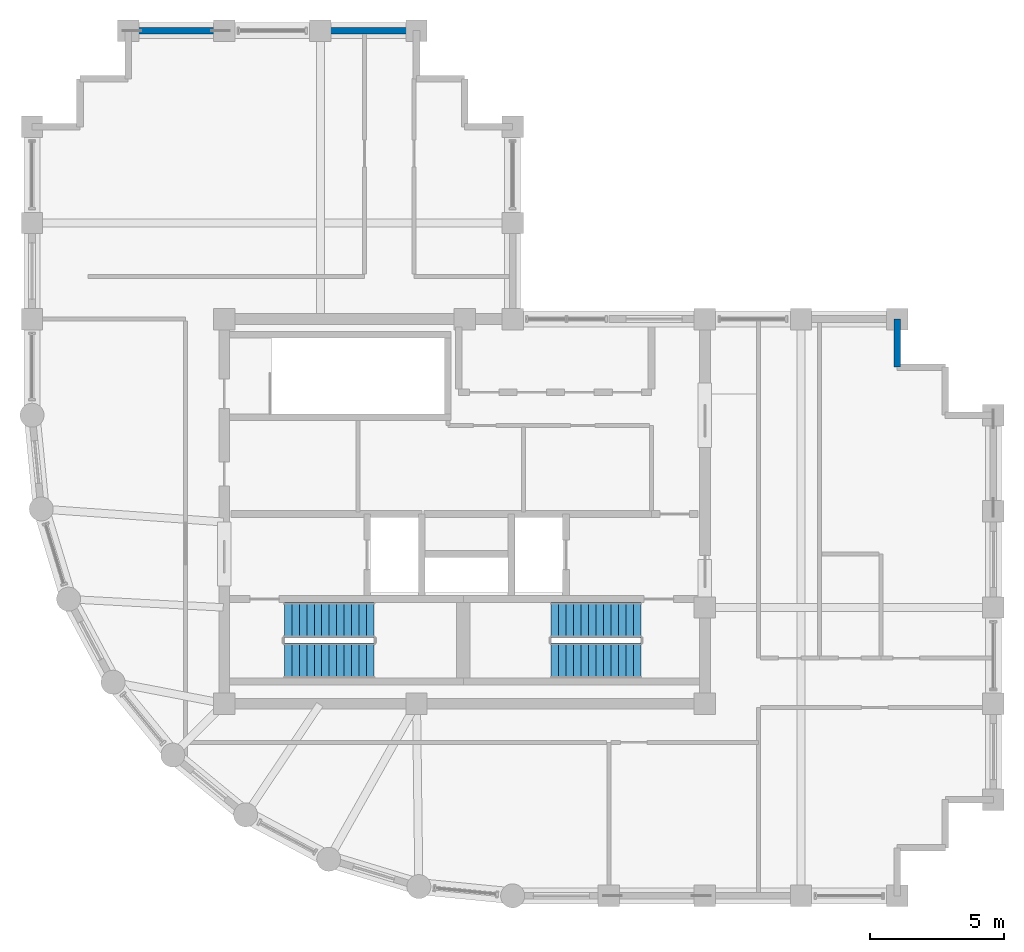
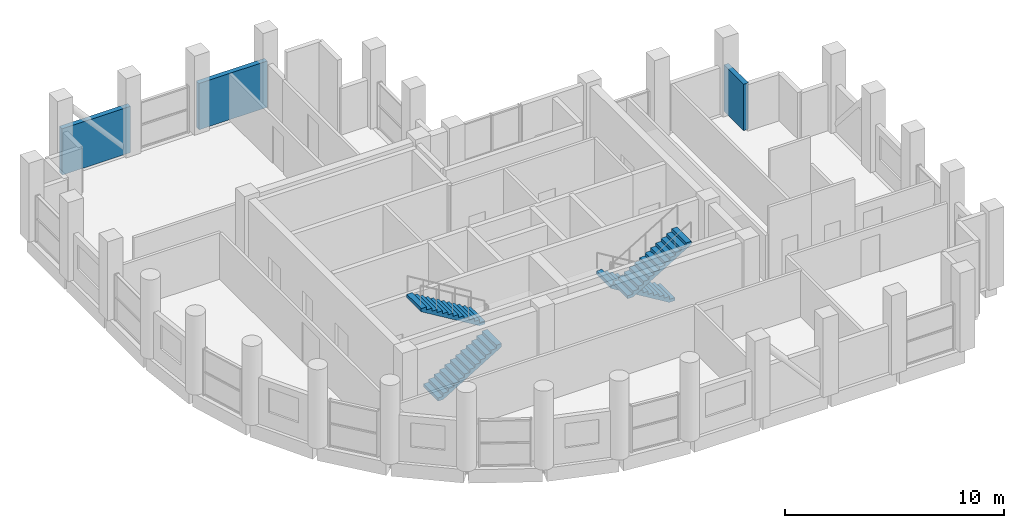
# One storey, part 13 of 14: 4 stair flights, 3 walls, 2 elements without a shape of their own.
"""IFC4 building model written with IfcOpenShell, lengths in metres."""

from ifc_helpers import new_model, si_unit, direction, frame, frame_2d, origin, place, context, subcontext, project, spatial, polyline, rectangle, outline, extrude, material, layer, layer_set, type_object, element, aggregate, save


model = new_model("IFC4")

# Units and contexts
model_context = context("Model", 3, precision=1e-05, world=origin(), true_north=direction((0.0, 1.0)))
body_context = subcontext(model_context, "Body", "Model", "MODEL_VIEW")
ifc_project = project(units=[si_unit("LENGTHUNIT", "METRE"), si_unit("AREAUNIT", "SQUARE_METRE"), si_unit("VOLUMEUNIT", "CUBIC_METRE"), si_unit("PLANEANGLEUNIT", "RADIAN"), si_unit("MASSUNIT", "GRAM", prefix="KILO")], contexts=[model_context])

# Site, building, storey
site_placement = place(None, origin())
site = spatial("IfcSite", under=ifc_project, at=site_placement, CompositionType="ELEMENT")
building_placement = place(site_placement, origin())
building = spatial("IfcBuilding", under=site, at=building_placement, Name="Solnavia Interchange Tower", CompositionType="ELEMENT")
storey_placement = place(building_placement, frame((0.0, 0.0, 299.800048828125)))
storey = spatial("IfcBuildingStorey", under=building, at=storey_placement, Name="L76", CompositionType="ELEMENT", Elevation=299.800048828125)

# Walls
ifc_material = material(Name="Concrete C40/50", Category="concrete")
ifc_layer = layer(ifc_material, 0.25)
ifc_layer_set = layer_set([ifc_layer], Name="Concrete C40/50")
wall_type = type_object("IfcWallType", Name="Wall-ExtSpandrel-250", PredefinedType="STANDARD", material=ifc_layer_set)
wall_1_placement = place(storey_placement, frame((39.60009765625, 25.199951171875, 0.0), z_axis=(0.0, 0.0, 1.0), x_axis=(0.0, -1.0, 0.0)))
element("IfcWall", 1, at=wall_1_placement, inside=storey, type_object=wall_type, Name="EXW-L76-16 Exterior precast spandrel wall", PredefinedType="STANDARD", context=body_context, shape_type="SweptSolid", body=[
    extrude(rectangle(XDim=1.800048828125, YDim=0.25, at=frame_2d((0.89990234375, 0.0))), origin(), (0.0, 0.0, 1.0), 2.579833984375),
])
wall_2_placement = place(storey_placement, frame((18.0, 36.0, 0.0), z_axis=(0.0, 0.0, 1.0), x_axis=(1.0, 0.0, 0.0)))
element("IfcWall", 2, at=wall_2_placement, inside=storey, type_object=wall_type, Name="EXW-L76-27 Exterior precast spandrel wall", PredefinedType="STANDARD", context=body_context, shape_type="SweptSolid", body=[
    extrude(rectangle(XDim=3.60009765625, YDim=0.25, at=frame_2d((1.800048828125, 0.0))), origin(), (0.0, 0.0, 1.0), 2.579833984375),
])
wall_3_placement = place(storey_placement, frame((10.800048828125, 36.0, 0.0), z_axis=(0.0, 0.0, 1.0), x_axis=(1.0, 0.0, 0.0)))
element("IfcWall", 3, at=wall_3_placement, inside=storey, type_object=wall_type, Name="EXW-L76-29 Exterior precast spandrel wall", PredefinedType="STANDARD", context=body_context, shape_type="SweptSolid", body=[
    extrude(rectangle(XDim=3.599853515625, YDim=0.25, at=frame_2d((1.7998046875, 0.0))), origin(), (0.0, 0.0, 1.0), 2.579833984375),
])

# Stair, stair flights
stair_type = type_object("IfcStairType", Name="Stair-Dogleg-RC", PredefinedType="HALF_TURN_STAIR", material=ifc_material)
stair_1_placement = place(storey_placement, origin())
stair_1 = element("IfcStair", 4, at=stair_1_placement, inside=storey, type_object=stair_type, Name="L76 Core exit stair 1", PredefinedType="HALF_TURN_STAIR")
stair_flight_type = type_object("IfcStairFlightType", Name="StairFlight-RC-150", PredefinedType="STRAIGHT", material=ifc_material)
stair_flight_1_placement = place(storey_placement, frame((16.64990234375, 12.409912109375, 0.0), z_axis=(0.0, 0.0, 1.0), x_axis=(1.0, 0.0, 0.0)))
stair_flight_1 = element("IfcStairFlight", 5, at=stair_flight_1_placement, type_object=stair_flight_type, Name="ST-1 flight 1", NumberOfRisers=13, NumberOfTreads=12, PredefinedType="STRAIGHT", RiserHeight=0.169230769, TreadLength=0.28, context=body_context, shape_type="SweptSolid", body=[
    extrude(outline(polyline([(0.0, 0.0), (0.0, 0.169189453125), (0.280029296875, 0.169189453125), (0.280029296875, 0.33837890625), (0.56005859375, 0.33837890625), (0.56005859375, 0.5078125), (0.840087890625, 0.5078125), (0.840087890625, 0.677001953125), (1.1201171875, 0.677001953125), (1.1201171875, 0.84619140625), (1.39990234375, 0.84619140625), (1.39990234375, 1.015380859375), (1.679931640625, 1.015380859375), (1.679931640625, 1.1845703125), (1.9599609375, 1.1845703125), (1.9599609375, 1.353759765625), (2.239990234375, 1.353759765625), (2.239990234375, 1.523193359375), (2.52001953125, 1.523193359375), (2.52001953125, 1.6923828125), (2.800048828125, 1.6923828125), (2.800048828125, 1.861572265625), (3.080078125, 1.861572265625), (3.080078125, 2.03076171875), (3.360107421875, 2.03076171875), (3.360107421875, 2.199951171875), (3.360107421875, 1.855712890625), (0.289794921875, 0.0), (0.0, 0.0)])), frame((0.0, 0.66015625, 0.0), z_axis=(0.0, -1.0, 0.0), x_axis=(1.0, 0.0, 0.0)), (0.0, 0.0, 1.0), 1.320068359375),
])
stair_flight_2_placement = place(storey_placement, frame((20.010009765625, 13.929931640625, 2.199951171875), z_axis=(0.0, 0.0, 1.0), x_axis=(-1.0, 0.0, 0.0)))
stair_flight_2 = element("IfcStairFlight", 6, at=stair_flight_2_placement, type_object=stair_flight_type, Name="ST-1 flight 2", NumberOfRisers=13, NumberOfTreads=12, PredefinedType="STRAIGHT", RiserHeight=0.169230769, TreadLength=0.28, context=body_context, shape_type="SweptSolid", body=[
    extrude(outline(polyline([(0.0, 0.0), (0.0, 0.169189453125), (0.280029296875, 0.169189453125), (0.280029296875, 0.33837890625), (0.56005859375, 0.33837890625), (0.56005859375, 0.5078125), (0.840087890625, 0.5078125), (0.840087890625, 0.677001953125), (1.1201171875, 0.677001953125), (1.1201171875, 0.84619140625), (1.39990234375, 0.84619140625), (1.39990234375, 1.015380859375), (1.679931640625, 1.015380859375), (1.679931640625, 1.1845703125), (1.9599609375, 1.1845703125), (1.9599609375, 1.353759765625), (2.239990234375, 1.353759765625), (2.239990234375, 1.523193359375), (2.52001953125, 1.523193359375), (2.52001953125, 1.6923828125), (2.800048828125, 1.6923828125), (2.800048828125, 1.861572265625), (3.080078125, 1.861572265625), (3.080078125, 2.03076171875), (3.360107421875, 2.03076171875), (3.360107421875, 2.199951171875), (3.360107421875, 1.855712890625), (0.289794921875, 0.0), (0.0, 0.0)])), frame((0.0, 0.66015625, 0.0), z_axis=(0.0, -1.0, 0.0), x_axis=(1.0, 0.0, 0.0)), (0.0, 0.0, 1.0), 1.320068359375),
])
aggregate(stair_1, [stair_flight_1, stair_flight_2])

stair_2_placement = place(storey_placement, origin())
stair_2 = element("IfcStair", 7, at=stair_2_placement, inside=storey, type_object=stair_type, Name="L76 Core exit stair 2", PredefinedType="HALF_TURN_STAIR")
stair_flight_3_placement = place(storey_placement, frame((30.0, 13.929931640625, 0.0), z_axis=(0.0, 0.0, 1.0), x_axis=(-1.0, 0.0, 0.0)))
stair_flight_3 = element("IfcStairFlight", 8, at=stair_flight_3_placement, type_object=stair_flight_type, Name="ST-2 flight 1", NumberOfRisers=13, NumberOfTreads=12, PredefinedType="STRAIGHT", RiserHeight=0.169230769, TreadLength=0.28, context=body_context, shape_type="SweptSolid", body=[
    extrude(outline(polyline([(0.0, 0.0), (0.0, 0.169189453125), (0.280029296875, 0.169189453125), (0.280029296875, 0.33837890625), (0.56005859375, 0.33837890625), (0.56005859375, 0.5078125), (0.840087890625, 0.5078125), (0.840087890625, 0.677001953125), (1.1201171875, 0.677001953125), (1.1201171875, 0.84619140625), (1.39990234375, 0.84619140625), (1.39990234375, 1.015380859375), (1.679931640625, 1.015380859375), (1.679931640625, 1.1845703125), (1.9599609375, 1.1845703125), (1.9599609375, 1.353759765625), (2.239990234375, 1.353759765625), (2.239990234375, 1.523193359375), (2.52001953125, 1.523193359375), (2.52001953125, 1.6923828125), (2.800048828125, 1.6923828125), (2.800048828125, 1.861572265625), (3.080078125, 1.861572265625), (3.080078125, 2.03076171875), (3.360107421875, 2.03076171875), (3.360107421875, 2.199951171875), (3.360107421875, 1.855712890625), (0.289794921875, 0.0), (0.0, 0.0)])), frame((0.0, 0.66015625, 0.0), z_axis=(0.0, -1.0, 0.0), x_axis=(1.0, 0.0, 0.0)), (0.0, 0.0, 1.0), 1.320068359375),
])
stair_flight_4_placement = place(storey_placement, frame((26.639892578125, 12.409912109375, 2.199951171875), z_axis=(0.0, 0.0, 1.0), x_axis=(1.0, 0.0, 0.0)))
stair_flight_4 = element("IfcStairFlight", 9, at=stair_flight_4_placement, type_object=stair_flight_type, Name="ST-2 flight 2", NumberOfRisers=13, NumberOfTreads=12, PredefinedType="STRAIGHT", RiserHeight=0.169230769, TreadLength=0.28, context=body_context, shape_type="SweptSolid", body=[
    extrude(outline(polyline([(0.0, 0.0), (0.0, 0.169189453125), (0.280029296875, 0.169189453125), (0.280029296875, 0.33837890625), (0.56005859375, 0.33837890625), (0.56005859375, 0.5078125), (0.840087890625, 0.5078125), (0.840087890625, 0.677001953125), (1.1201171875, 0.677001953125), (1.1201171875, 0.84619140625), (1.39990234375, 0.84619140625), (1.39990234375, 1.015380859375), (1.679931640625, 1.015380859375), (1.679931640625, 1.1845703125), (1.9599609375, 1.1845703125), (1.9599609375, 1.353759765625), (2.239990234375, 1.353759765625), (2.239990234375, 1.523193359375), (2.52001953125, 1.523193359375), (2.52001953125, 1.6923828125), (2.800048828125, 1.6923828125), (2.800048828125, 1.861572265625), (3.080078125, 1.861572265625), (3.080078125, 2.03076171875), (3.360107421875, 2.03076171875), (3.360107421875, 2.199951171875), (3.360107421875, 1.855712890625), (0.289794921875, 0.0), (0.0, 0.0)])), frame((0.0, 0.66015625, 0.0), z_axis=(0.0, -1.0, 0.0), x_axis=(1.0, 0.0, 0.0)), (0.0, 0.0, 1.0), 1.320068359375),
])
aggregate(stair_2, [stair_flight_3, stair_flight_4])

save(model, "model.ifc")
